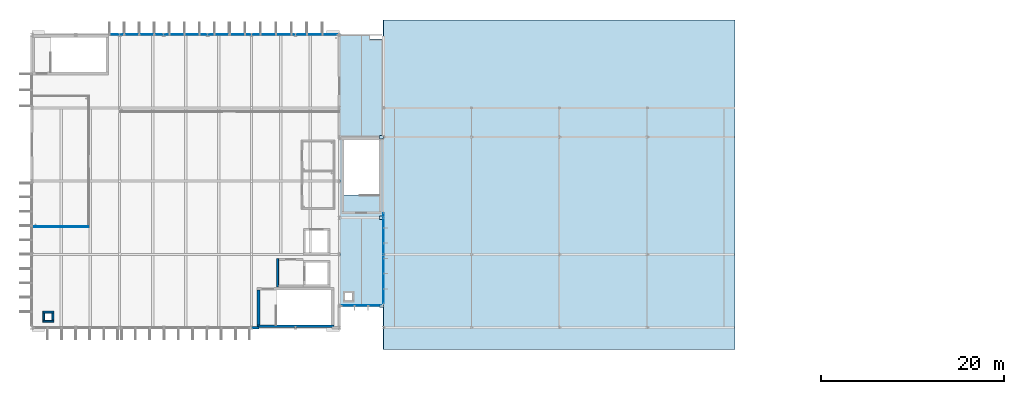
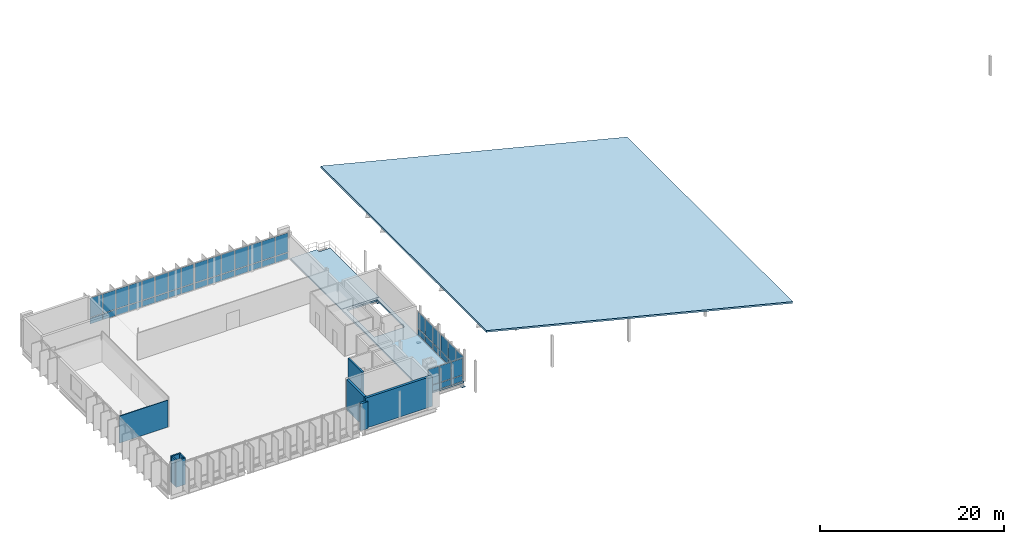
# One storey, part 13 of 22: 51 plates, 9 walls, 3 slabs, 4 elements without a shape of their own.
"""IFC4 building model written with IfcOpenShell, lengths in metres."""

import ifcopenshell
import ifcopenshell.guid

model = None  # the IFC model being written
_history = None  # IfcOwnerHistory: only IFC2X3 demands one
_inside = {}  # id of a spatial element -> (the spatial element, [elements in it])
_under = {}  # id of a project, library or spatial element -> (it, [spatial elements below it])
_declared = {}  # id of a project -> (the project, [libraries it declares])
_typed = {}  # id of a type object -> (the type object, [elements of that type])
_made_of = {}  # id of a material, layer set ... -> (it, [elements and type objects made of it])


def new_model(schema):
    """Start an empty IFC model of exactly this schema.

    Asked for "IFC4X3", IfcOpenShell would pick the latest addendum, in which some entities
    have other attributes; the version numbers below select the first issue.
    IFC2X3 requires an IfcOwnerHistory on every rooted entity: one is made here for all.
    """
    global model, _history
    if schema == "IFC4X3":
        model = ifcopenshell.file(schema_version=(4, 3, 0, 0))
    else:
        model = ifcopenshell.file(schema=schema)
    _inside.clear()
    _under.clear()
    _declared.clear()
    _typed.clear()
    _made_of.clear()
    _history = None
    if model.schema == "IFC2X3":
        org = make("IfcOrganization", Name="unknown")
        user = make(
            "IfcPersonAndOrganization",
            ThePerson=make("IfcPerson", FamilyName="unknown"),
            TheOrganization=org,
        )
        app = make(
            "IfcApplication",
            ApplicationDeveloper=org,
            Version="unknown",
            ApplicationFullName="unknown",
            ApplicationIdentifier="unknown",
        )
        _history = make(
            "IfcOwnerHistory",
            OwningUser=user,
            OwningApplication=app,
            ChangeAction="ADDED",
            CreationDate=0,
        )
    return model


def make(cls, **values):
    """One entity of the class cls with the attributes given. An attribute that is None is left unset."""
    return model.create_entity(
        cls, **{name: value for name, value in values.items() if value is not None}
    )


def rooted(cls, **values):
    """An entity with a GlobalId (a new one), such as an element, a storey or a relation."""
    return make(cls, GlobalId=ifcopenshell.guid.new(), OwnerHistory=_history, **values)


def si_unit(unit_type, name, prefix=None):
    """IfcSIUnit, for example si_unit("LENGTHUNIT", "METRE", prefix="MILLI")."""
    return make("IfcSIUnit", UnitType=unit_type, Prefix=prefix, Name=name)


def assignment(units):
    """IfcUnitAssignment: the units of a project."""
    return None if units is None else make("IfcUnitAssignment", Units=units)


def point(xyz):
    """IfcCartesianPoint."""
    return None if xyz is None else make("IfcCartesianPoint", Coordinates=xyz)


def direction(xyz):
    """IfcDirection."""
    return None if xyz is None else make("IfcDirection", DirectionRatios=xyz)


def frame(location, z_axis=None, x_axis=None):
    """IfcAxis2Placement3D, a coordinate frame: its origin and axes. An axis left out is left unset."""
    return make(
        "IfcAxis2Placement3D",
        Location=point(location),
        Axis=direction(z_axis),
        RefDirection=direction(x_axis),
    )


def frame_2d(location, x_axis=None):
    """IfcAxis2Placement2D, a coordinate frame in the plane: its origin and x axis."""
    return make(
        "IfcAxis2Placement2D", Location=point(location), RefDirection=direction(x_axis)
    )


def origin():
    """The frame at (0, 0, 0) with its axes left unset."""
    return frame((0.0, 0.0, 0.0))


def origin_2d():
    """The frame at (0, 0) in the plane with its x axis left unset."""
    return frame_2d((0.0, 0.0))


def place(relative_to, where):
    """IfcLocalPlacement: puts the frame where relative to a parent placement (None: the world)."""
    return make(
        "IfcLocalPlacement", PlacementRelTo=relative_to, RelativePlacement=where
    )


def context(
    kind, dimensions, precision=None, world=None, true_north=None, identifier=None
):
    """IfcGeometricRepresentationContext, for example the 3D "Model" context."""
    return make(
        "IfcGeometricRepresentationContext",
        ContextIdentifier=identifier,
        ContextType=kind,
        CoordinateSpaceDimension=dimensions,
        Precision=precision,
        WorldCoordinateSystem=world,
        TrueNorth=true_north,
    )


def subcontext(parent, identifier, kind, view, scale=None):
    """IfcGeometricRepresentationSubContext, for example "Body" below "Model"."""
    return make(
        "IfcGeometricRepresentationSubContext",
        ContextIdentifier=identifier,
        ContextType=kind,
        ParentContext=parent,
        TargetScale=scale,
        TargetView=view,
    )


def project(units=None, contexts=None):
    """IfcProject with its units and contexts."""
    return rooted(
        "IfcProject",
        Name="project",
        RepresentationContexts=contexts,
        UnitsInContext=assignment(units),
    )


def spatial(cls, under=None, at=None, **own):
    """A site, building, storey or space (cls), placed at a placement, below another one or the project."""
    s = rooted(cls, ObjectPlacement=at, **own)
    if under is not None:
        _under.setdefault(under.id(), (under, []))[1].append(s)
    return s


def polyline(points):
    """IfcPolyline through the points."""
    return make("IfcPolyline", Points=[point(p) for p in points])


def profile(cls, at=None, kind="AREA", **sizes):
    """A parametric profile (cls). Its sizes go by their IFC names, for example OverallWidth=200.0."""
    return make(cls, ProfileType=kind, Position=at, **sizes)


def rectangle(**sizes):
    """IfcRectangleProfileDef."""
    return profile("IfcRectangleProfileDef", **sizes)


def outline(outer, holes=None, kind="AREA"):
    """IfcArbitraryClosedProfileDef: a profile drawn as a closed curve; with holes, ...WithVoids."""
    if holes is None:
        return make("IfcArbitraryClosedProfileDef", ProfileType=kind, OuterCurve=outer)
    return make(
        "IfcArbitraryProfileDefWithVoids",
        ProfileType=kind,
        OuterCurve=outer,
        InnerCurves=holes,
    )


def extrude(swept, where, along, depth):
    """IfcExtrudedAreaSolid: the profile swept, set in the frame where, extruded along a direction by depth."""
    return make(
        "IfcExtrudedAreaSolid",
        SweptArea=swept,
        Position=where,
        ExtrudedDirection=direction(along),
        Depth=depth,
    )


def shape(context_of_items, identifier, shape_type, items):
    """IfcShapeRepresentation: the items that make up one representation, for example the "Body"."""
    return make(
        "IfcShapeRepresentation",
        ContextOfItems=context_of_items,
        RepresentationIdentifier=identifier,
        RepresentationType=shape_type,
        Items=items,
    )


def material(Name=None, Category=None):
    """IfcMaterial."""
    return make("IfcMaterial", Name=Name, Category=Category)


def layer(
    of_material, thickness, ventilated=None, Name=None, Category=None, Priority=None
):
    """IfcMaterialLayer: one layer of a wall or slab, of a material (None: an air gap)."""
    return make(
        "IfcMaterialLayer",
        Material=of_material,
        LayerThickness=thickness,
        IsVentilated=ventilated,
        Name=Name,
        Category=Category,
        Priority=Priority,
    )


def layer_set(layers, Name=None):
    """IfcMaterialLayerSet."""
    return make("IfcMaterialLayerSet", MaterialLayers=layers, LayerSetName=Name)


def made_of(thing, what):
    """Note that an element or type object is made of a material, layer set ...; save() writes the relation."""
    if what is not None:
        _made_of.setdefault(what.id(), (what, []))[1].append(thing)
    return thing


def type_object(cls, material=None, **own):
    """A type object (cls), such as IfcWallType, which elements share."""
    return made_of(rooted(cls, **own), material)


def element(
    cls,
    number,
    at=None,
    inside=None,
    cuts=None,
    type_object=None,
    material=None,
    context=None,
    identifier="Body",
    shape_type=None,
    held_by="IfcProductDefinitionShape",
    body=None,
    shapes=None,
    **own,
):
    """One element of the class cls, such as IfcWall. Its Tag is "e" and its number.

    at: its placement. inside: the storey or other place that contains it. cuts: it is an
    opening in that element (IfcRelVoidsElement). A single representation is given by context,
    identifier, shape_type and body (its items); several are given by shapes. held_by: the class
    of the entity that holds the representations. save() writes the other relations.
    """
    e = rooted(cls, Tag="e%d" % number, ObjectPlacement=at, **own)
    if body is not None:
        shapes = [shape(context, identifier, shape_type, body)]
    if shapes is not None:
        e.Representation = make(held_by, Representations=shapes)
    if inside is not None:
        _inside.setdefault(inside.id(), (inside, []))[1].append(e)
    if cuts is not None:
        rooted(
            "IfcRelVoidsElement", RelatingBuildingElement=cuts, RelatedOpeningElement=e
        )
    if type_object is not None:
        _typed.setdefault(type_object.id(), (type_object, []))[1].append(e)
    return made_of(e, material)


def aggregate(whole, parts):
    """IfcRelAggregates: a whole, such as a stair, and the parts it consists of."""
    return rooted("IfcRelAggregates", RelatingObject=whole, RelatedObjects=parts)


def save(model, path):
    """Write the relations noted so far, then the file.

    IfcRelAggregates (storeys below a building ...), IfcRelContainedInSpatialStructure (elements
    in a storey), IfcRelDefinesByType, IfcRelAssociatesMaterial and IfcRelDeclares: one each for
    every whole, place, type object, material and project.
    """
    for whole, parts in _under.values():
        aggregate(whole, parts)
    for where, things in _inside.values():
        rooted(
            "IfcRelContainedInSpatialStructure",
            RelatedElements=things,
            RelatingStructure=where,
        )
    for kind, things in _typed.values():
        rooted("IfcRelDefinesByType", RelatedObjects=things, RelatingType=kind)
    for what, things in _made_of.values():
        rooted("IfcRelAssociatesMaterial", RelatedObjects=things, RelatingMaterial=what)
    for by, libraries in _declared.values():
        rooted("IfcRelDeclares", RelatingContext=by, RelatedDefinitions=libraries)
    model.write(path)


model = new_model("IFC4")

# Units and contexts
model_context = context("Model", 3, precision=1e-05, world=origin(), true_north=direction((0.0, 1.0)))
body_context = subcontext(model_context, "Body", "Model", "MODEL_VIEW")
ifc_project = project(units=[si_unit("LENGTHUNIT", "METRE"), si_unit("AREAUNIT", "SQUARE_METRE"), si_unit("VOLUMEUNIT", "CUBIC_METRE"), si_unit("PLANEANGLEUNIT", "RADIAN"), si_unit("MASSUNIT", "GRAM", prefix="KILO")], contexts=[model_context])

# Site, building, storey
site_placement = place(None, origin())
site = spatial("IfcSite", under=ifc_project, at=site_placement, CompositionType="ELEMENT")
building_placement = place(site_placement, origin())
building = spatial("IfcBuilding", under=site, at=building_placement, Name="Dunescarp Central Library", CompositionType="ELEMENT")
storey_placement = place(building_placement, frame((0.0, 0.0, 27.60009765625)))
storey = spatial("IfcBuildingStorey", under=building, at=storey_placement, Name="L06", CompositionType="ELEMENT", Elevation=27.60009765625)

# Curtain wall, plates
ifc_material_1 = material(Name="Marine-grade anodised aluminium 6063-T6", Category="aluminium")
curtain_wall_type_1 = type_object("IfcCurtainWallType", Name="ARC-CW-STICK", PredefinedType="NOTDEFINED", material=ifc_material_1)
curtain_wall_1_placement = place(storey_placement, origin())
curtain_wall_1 = element("IfcCurtainWall", 1, at=curtain_wall_1_placement, inside=storey, type_object=curtain_wall_type_1, Name="L06 curtain wall CW-V1-040", PredefinedType="NOTDEFINED")
ifc_material_2 = material(Name="Solar-control laminated double glazing", Category="glass")
ifc_layer_1 = layer(ifc_material_2, 0.028076171875)
ifc_layer_set_1 = layer_set([ifc_layer_1], Name="Solar-control laminated double glazing")
plate_type_1 = type_object("IfcPlateType", Name="ARC-PLT-GLZ28", PredefinedType="CURTAIN_PANEL", material=ifc_layer_set_1)
plate_1_placement = place(storey_placement, frame((22.464599609375, 36.800048828125, 0.93994140625), z_axis=(0.0, 0.0, 1.0), x_axis=(1.0, 0.0, 0.0)))
plate_1 = element("IfcPlate", 2, at=plate_1_placement, type_object=plate_type_1, Name="CW-V1-040 panel 1.2", PredefinedType="CURTAIN_PANEL", context=body_context, shape_type="SweptSolid", body=[
    extrude(rectangle(XDim=1.5693359375, YDim=0.028076171875, at=origin_2d()), origin(), (0.0, 0.0, 1.0), 2.554931640625),
])
plate_2_placement = place(storey_placement, frame((24.134033203125, 36.800048828125, 0.93994140625), z_axis=(0.0, 0.0, 1.0), x_axis=(1.0, 0.0, 0.0)))
plate_2 = element("IfcPlate", 3, at=plate_2_placement, type_object=plate_type_1, Name="CW-V1-040 panel 2.2", PredefinedType="CURTAIN_PANEL", context=body_context, shape_type="SweptSolid", body=[
    extrude(rectangle(XDim=1.609375, YDim=0.028076171875, at=origin_2d()), origin(), (0.0, 0.0, 1.0), 2.554931640625),
])
plate_3_placement = place(storey_placement, frame((25.8232421875, 36.800048828125, 0.93994140625), z_axis=(0.0, 0.0, 1.0), x_axis=(1.0, 0.0, 0.0)))
plate_3 = element("IfcPlate", 4, at=plate_3_placement, type_object=plate_type_1, Name="CW-V1-040 panel 3.2", PredefinedType="CURTAIN_PANEL", context=body_context, shape_type="SweptSolid", body=[
    extrude(rectangle(XDim=1.609375, YDim=0.028076171875, at=origin_2d()), origin(), (0.0, 0.0, 1.0), 2.554931640625),
])
plate_4_placement = place(storey_placement, frame((27.512451171875, 36.800048828125, 0.93994140625), z_axis=(0.0, 0.0, 1.0), x_axis=(1.0, 0.0, 0.0)))
plate_4 = element("IfcPlate", 5, at=plate_4_placement, type_object=plate_type_1, Name="CW-V1-040 panel 4.2", PredefinedType="CURTAIN_PANEL", context=body_context, shape_type="SweptSolid", body=[
    extrude(rectangle(XDim=1.609375, YDim=0.028076171875, at=origin_2d()), origin(), (0.0, 0.0, 1.0), 2.554931640625),
])
plate_5_placement = place(storey_placement, frame((29.201904296875, 36.800048828125, 0.93994140625), z_axis=(0.0, 0.0, 1.0), x_axis=(1.0, 0.0, 0.0)))
plate_5 = element("IfcPlate", 6, at=plate_5_placement, type_object=plate_type_1, Name="CW-V1-040 panel 5.2", PredefinedType="CURTAIN_PANEL", context=body_context, shape_type="SweptSolid", body=[
    extrude(rectangle(XDim=1.609375, YDim=0.028076171875, at=origin_2d()), origin(), (0.0, 0.0, 1.0), 2.554931640625),
])
plate_6_placement = place(storey_placement, frame((30.89111328125, 36.800048828125, 0.93994140625), z_axis=(0.0, 0.0, 1.0), x_axis=(1.0, 0.0, 0.0)))
plate_6 = element("IfcPlate", 7, at=plate_6_placement, type_object=plate_type_1, Name="CW-V1-040 panel 6.2", PredefinedType="CURTAIN_PANEL", context=body_context, shape_type="SweptSolid", body=[
    extrude(rectangle(XDim=1.609375, YDim=0.028076171875, at=origin_2d()), origin(), (0.0, 0.0, 1.0), 2.554931640625),
])
plate_7_placement = place(storey_placement, frame((32.560302734375, 36.800048828125, 0.93994140625), z_axis=(0.0, 0.0, 1.0), x_axis=(1.0, 0.0, 0.0)))
plate_7 = element("IfcPlate", 8, at=plate_7_placement, type_object=plate_type_1, Name="CW-V1-040 panel 7.2", PredefinedType="CURTAIN_PANEL", context=body_context, shape_type="SweptSolid", body=[
    extrude(rectangle(XDim=1.5693359375, YDim=0.028076171875, at=origin_2d()), origin(), (0.0, 0.0, 1.0), 2.554931640625),
])

curtain_wall_2_placement = place(storey_placement, origin())
curtain_wall_2 = element("IfcCurtainWall", 9, at=curtain_wall_2_placement, inside=storey, type_object=curtain_wall_type_1, Name="L06 curtain wall CW-V1-041", PredefinedType="NOTDEFINED")
plate_8_placement = place(storey_placement, frame((9.2919921875, 36.800048828125, 0.93994140625), z_axis=(0.0, 0.0, 1.0), x_axis=(1.0, 0.0, 0.0)))
plate_8 = element("IfcPlate", 10, at=plate_8_placement, type_object=plate_type_1, Name="CW-V1-041 panel 1.2", PredefinedType="CURTAIN_PANEL", context=body_context, shape_type="SweptSolid", body=[
    extrude(rectangle(XDim=1.523681640625, YDim=0.028076171875, at=origin_2d()), origin(), (0.0, 0.0, 1.0), 2.554931640625),
])
plate_9_placement = place(storey_placement, frame((10.91552734375, 36.800048828125, 0.93994140625), z_axis=(0.0, 0.0, 1.0), x_axis=(1.0, 0.0, 0.0)))
plate_9 = element("IfcPlate", 11, at=plate_9_placement, type_object=plate_type_1, Name="CW-V1-041 panel 2.2", PredefinedType="CURTAIN_PANEL", context=body_context, shape_type="SweptSolid", body=[
    extrude(rectangle(XDim=1.563720703125, YDim=0.028076171875, at=origin_2d()), origin(), (0.0, 0.0, 1.0), 2.554931640625),
])
plate_10_placement = place(storey_placement, frame((12.559326171875, 36.800048828125, 0.93994140625), z_axis=(0.0, 0.0, 1.0), x_axis=(1.0, 0.0, 0.0)))
plate_10 = element("IfcPlate", 12, at=plate_10_placement, type_object=plate_type_1, Name="CW-V1-041 panel 3.2", PredefinedType="CURTAIN_PANEL", context=body_context, shape_type="SweptSolid", body=[
    extrude(rectangle(XDim=1.563720703125, YDim=0.028076171875, at=origin_2d()), origin(), (0.0, 0.0, 1.0), 2.554931640625),
])
plate_11_placement = place(storey_placement, frame((14.203125, 36.800048828125, 0.93994140625), z_axis=(0.0, 0.0, 1.0), x_axis=(1.0, 0.0, 0.0)))
plate_11 = element("IfcPlate", 13, at=plate_11_placement, type_object=plate_type_1, Name="CW-V1-041 panel 4.2", PredefinedType="CURTAIN_PANEL", context=body_context, shape_type="SweptSolid", body=[
    extrude(rectangle(XDim=1.563720703125, YDim=0.028076171875, at=origin_2d()), origin(), (0.0, 0.0, 1.0), 2.554931640625),
])
plate_12_placement = place(storey_placement, frame((15.846923828125, 36.800048828125, 0.93994140625), z_axis=(0.0, 0.0, 1.0), x_axis=(1.0, 0.0, 0.0)))
plate_12 = element("IfcPlate", 14, at=plate_12_placement, type_object=plate_type_1, Name="CW-V1-041 panel 5.2", PredefinedType="CURTAIN_PANEL", context=body_context, shape_type="SweptSolid", body=[
    extrude(rectangle(XDim=1.563720703125, YDim=0.028076171875, at=origin_2d()), origin(), (0.0, 0.0, 1.0), 2.554931640625),
])
plate_13_placement = place(storey_placement, frame((17.49072265625, 36.800048828125, 0.93994140625), z_axis=(0.0, 0.0, 1.0), x_axis=(1.0, 0.0, 0.0)))
plate_13 = element("IfcPlate", 15, at=plate_13_placement, type_object=plate_type_1, Name="CW-V1-041 panel 6.2", PredefinedType="CURTAIN_PANEL", context=body_context, shape_type="SweptSolid", body=[
    extrude(rectangle(XDim=1.563720703125, YDim=0.028076171875, at=origin_2d()), origin(), (0.0, 0.0, 1.0), 2.554931640625),
])
plate_14_placement = place(storey_placement, frame((19.13427734375, 36.800048828125, 0.93994140625), z_axis=(0.0, 0.0, 1.0), x_axis=(1.0, 0.0, 0.0)))
plate_14 = element("IfcPlate", 16, at=plate_14_placement, type_object=plate_type_1, Name="CW-V1-041 panel 7.2", PredefinedType="CURTAIN_PANEL", context=body_context, shape_type="SweptSolid", body=[
    extrude(rectangle(XDim=1.563720703125, YDim=0.028076171875, at=origin_2d()), origin(), (0.0, 0.0, 1.0), 2.554931640625),
])
plate_15_placement = place(storey_placement, frame((20.758056640625, 36.800048828125, 0.93994140625), z_axis=(0.0, 0.0, 1.0), x_axis=(1.0, 0.0, 0.0)))
plate_15 = element("IfcPlate", 17, at=plate_15_placement, type_object=plate_type_1, Name="CW-V1-041 panel 8.2", PredefinedType="CURTAIN_PANEL", context=body_context, shape_type="SweptSolid", body=[
    extrude(rectangle(XDim=1.523681640625, YDim=0.028076171875, at=origin_2d()), origin(), (0.0, 0.0, 1.0), 2.554931640625),
])

curtain_wall_type_2 = type_object("IfcCurtainWallType", Name="ARC-CW-LINK", PredefinedType="USERDEFINED", material=ifc_material_1)
curtain_wall_3_placement = place(storey_placement, origin())
curtain_wall_3 = element("IfcCurtainWall", 18, at=curtain_wall_3_placement, inside=storey, type_object=curtain_wall_type_2, Name="L06 curtain wall CW-GL1-S-L06", ObjectType="GLAZED_LINK_WALL", PredefinedType="USERDEFINED")
plate_16_placement = place(storey_placement, frame((37.46337890625, 7.199951171875, 0.93994140625), z_axis=(0.0, 0.0, 1.0), x_axis=(-1.0, 0.0, 0.0)))
plate_16 = element("IfcPlate", 19, at=plate_16_placement, type_object=plate_type_1, Name="CW-GL1-S-L06 panel 1.2", PredefinedType="CURTAIN_PANEL", context=body_context, shape_type="SweptSolid", body=[
    extrude(rectangle(XDim=1.36328125, YDim=0.028076171875, at=origin_2d()), origin(), (0.0, 0.0, 1.0), 2.1650390625),
])
plate_17_placement = place(storey_placement, frame((36.0, 7.199951171875, 0.93994140625), z_axis=(0.0, 0.0, 1.0), x_axis=(-1.0, 0.0, 0.0)))
plate_17 = element("IfcPlate", 20, at=plate_17_placement, type_object=plate_type_1, Name="CW-GL1-S-L06 panel 2.2", PredefinedType="CURTAIN_PANEL", context=body_context, shape_type="SweptSolid", body=[
    extrude(rectangle(XDim=1.4033203125, YDim=0.028076171875, at=origin_2d()), origin(), (0.0, 0.0, 1.0), 2.1650390625),
])
plate_18_placement = place(storey_placement, frame((34.53662109375, 7.199951171875, 0.93994140625), z_axis=(0.0, 0.0, 1.0), x_axis=(-1.0, 0.0, 0.0)))
plate_18 = element("IfcPlate", 21, at=plate_18_placement, type_object=plate_type_1, Name="CW-GL1-S-L06 panel 3.2", PredefinedType="CURTAIN_PANEL", context=body_context, shape_type="SweptSolid", body=[
    extrude(rectangle(XDim=1.36328125, YDim=0.028076171875, at=origin_2d()), origin(), (0.0, 0.0, 1.0), 2.1650390625),
])

curtain_wall_4_placement = place(storey_placement, origin())
curtain_wall_4 = element("IfcCurtainWall", 22, at=curtain_wall_4_placement, inside=storey, type_object=curtain_wall_type_2, Name="L06 curtain wall CW-GL1-E-L06", ObjectType="GLAZED_LINK_WALL", PredefinedType="USERDEFINED")
plate_19_placement = place(storey_placement, frame((38.39990234375, 16.498779296875, 0.93994140625), z_axis=(0.0, 0.0, 1.0), x_axis=(0.0, -1.0, 0.0)))
plate_19 = element("IfcPlate", 23, at=plate_19_placement, type_object=plate_type_1, Name="CW-GL1-E-L06 panel 1.2", PredefinedType="CURTAIN_PANEL", context=body_context, shape_type="SweptSolid", body=[
    extrude(rectangle(XDim=1.54248046875, YDim=0.028076171875, at=origin_2d()), origin(), (0.0, 0.0, 1.0), 2.1650390625),
])
plate_20_placement = place(storey_placement, frame((38.39990234375, 14.856201171875, 0.93994140625), z_axis=(0.0, 0.0, 1.0), x_axis=(0.0, -1.0, 0.0)))
plate_20 = element("IfcPlate", 24, at=plate_20_placement, type_object=plate_type_1, Name="CW-GL1-E-L06 panel 2.2", PredefinedType="CURTAIN_PANEL", context=body_context, shape_type="SweptSolid", body=[
    extrude(rectangle(XDim=1.58251953125, YDim=0.028076171875, at=origin_2d()), origin(), (0.0, 0.0, 1.0), 2.1650390625),
])
plate_21_placement = place(storey_placement, frame((38.39990234375, 13.19384765625, 0.93994140625), z_axis=(0.0, 0.0, 1.0), x_axis=(0.0, -1.0, 0.0)))
plate_21 = element("IfcPlate", 25, at=plate_21_placement, type_object=plate_type_1, Name="CW-GL1-E-L06 panel 3.2", PredefinedType="CURTAIN_PANEL", context=body_context, shape_type="SweptSolid", body=[
    extrude(rectangle(XDim=1.58251953125, YDim=0.028076171875, at=origin_2d()), origin(), (0.0, 0.0, 1.0), 2.1650390625),
])
plate_22_placement = place(storey_placement, frame((38.39990234375, 11.53125, 0.93994140625), z_axis=(0.0, 0.0, 1.0), x_axis=(0.0, -1.0, 0.0)))
plate_22 = element("IfcPlate", 26, at=plate_22_placement, type_object=plate_type_1, Name="CW-GL1-E-L06 panel 4.2", PredefinedType="CURTAIN_PANEL", context=body_context, shape_type="SweptSolid", body=[
    extrude(rectangle(XDim=1.58251953125, YDim=0.028076171875, at=origin_2d()), origin(), (0.0, 0.0, 1.0), 2.1650390625),
])
plate_23_placement = place(storey_placement, frame((38.39990234375, 9.86865234375, 0.93994140625), z_axis=(0.0, 0.0, 1.0), x_axis=(0.0, -1.0, 0.0)))
plate_23 = element("IfcPlate", 27, at=plate_23_placement, type_object=plate_type_1, Name="CW-GL1-E-L06 panel 5.2", PredefinedType="CURTAIN_PANEL", context=body_context, shape_type="SweptSolid", body=[
    extrude(rectangle(XDim=1.58251953125, YDim=0.028076171875, at=origin_2d()), origin(), (0.0, 0.0, 1.0), 2.1650390625),
])
plate_24_placement = place(storey_placement, frame((38.39990234375, 8.226318359375, 0.93994140625), z_axis=(0.0, 0.0, 1.0), x_axis=(0.0, -1.0, 0.0)))
plate_24 = element("IfcPlate", 28, at=plate_24_placement, type_object=plate_type_1, Name="CW-GL1-E-L06 panel 6.2", PredefinedType="CURTAIN_PANEL", context=body_context, shape_type="SweptSolid", body=[
    extrude(rectangle(XDim=1.54248046875, YDim=0.028076171875, at=origin_2d()), origin(), (0.0, 0.0, 1.0), 2.1650390625),
])

# Plate
ifc_layer_2 = layer(ifc_material_1, 0.050048828125)
ifc_layer_set_2 = layer_set([ifc_layer_2], Name="Marine-grade anodised aluminium 6063-T6")
plate_type_2 = type_object("IfcPlateType", Name="ARC-PLT-SPN50", PredefinedType="SHEET", material=ifc_layer_set_2)
plate_25_placement = place(storey_placement, frame((22.464599609375, 36.800048828125, 0.080078125), z_axis=(0.0, 0.0, 1.0), x_axis=(1.0, 0.0, 0.0)))
plate_25 = element("IfcPlate", 29, at=plate_25_placement, type_object=plate_type_2, Name="CW-V1-040 panel 1.1", PredefinedType="SHEET", context=body_context, shape_type="SweptSolid", body=[
    extrude(rectangle(XDim=1.5693359375, YDim=0.050048828125, at=origin_2d()), origin(), (0.0, 0.0, 1.0), 0.780029296875),
])

plate_26_placement = place(storey_placement, frame((24.134033203125, 36.800048828125, 0.080078125), z_axis=(0.0, 0.0, 1.0), x_axis=(1.0, 0.0, 0.0)))
plate_26 = element("IfcPlate", 30, at=plate_26_placement, type_object=plate_type_2, Name="CW-V1-040 panel 2.1", PredefinedType="SHEET", context=body_context, shape_type="SweptSolid", body=[
    extrude(rectangle(XDim=1.609375, YDim=0.050048828125, at=origin_2d()), origin(), (0.0, 0.0, 1.0), 0.780029296875),
])

plate_27_placement = place(storey_placement, frame((25.8232421875, 36.800048828125, 0.080078125), z_axis=(0.0, 0.0, 1.0), x_axis=(1.0, 0.0, 0.0)))
plate_27 = element("IfcPlate", 31, at=plate_27_placement, type_object=plate_type_2, Name="CW-V1-040 panel 3.1", PredefinedType="SHEET", context=body_context, shape_type="SweptSolid", body=[
    extrude(rectangle(XDim=1.609375, YDim=0.050048828125, at=origin_2d()), origin(), (0.0, 0.0, 1.0), 0.780029296875),
])

plate_28_placement = place(storey_placement, frame((27.512451171875, 36.800048828125, 0.080078125), z_axis=(0.0, 0.0, 1.0), x_axis=(1.0, 0.0, 0.0)))
plate_28 = element("IfcPlate", 32, at=plate_28_placement, type_object=plate_type_2, Name="CW-V1-040 panel 4.1", PredefinedType="SHEET", context=body_context, shape_type="SweptSolid", body=[
    extrude(rectangle(XDim=1.609375, YDim=0.050048828125, at=origin_2d()), origin(), (0.0, 0.0, 1.0), 0.780029296875),
])

plate_29_placement = place(storey_placement, frame((29.201904296875, 36.800048828125, 0.080078125), z_axis=(0.0, 0.0, 1.0), x_axis=(1.0, 0.0, 0.0)))
plate_29 = element("IfcPlate", 33, at=plate_29_placement, type_object=plate_type_2, Name="CW-V1-040 panel 5.1", PredefinedType="SHEET", context=body_context, shape_type="SweptSolid", body=[
    extrude(rectangle(XDim=1.609375, YDim=0.050048828125, at=origin_2d()), origin(), (0.0, 0.0, 1.0), 0.780029296875),
])

plate_30_placement = place(storey_placement, frame((30.89111328125, 36.800048828125, 0.080078125), z_axis=(0.0, 0.0, 1.0), x_axis=(1.0, 0.0, 0.0)))
plate_30 = element("IfcPlate", 34, at=plate_30_placement, type_object=plate_type_2, Name="CW-V1-040 panel 6.1", PredefinedType="SHEET", context=body_context, shape_type="SweptSolid", body=[
    extrude(rectangle(XDim=1.609375, YDim=0.050048828125, at=origin_2d()), origin(), (0.0, 0.0, 1.0), 0.780029296875),
])

plate_31_placement = place(storey_placement, frame((32.560302734375, 36.800048828125, 0.080078125), z_axis=(0.0, 0.0, 1.0), x_axis=(1.0, 0.0, 0.0)))
plate_31 = element("IfcPlate", 35, at=plate_31_placement, type_object=plate_type_2, Name="CW-V1-040 panel 7.1", PredefinedType="SHEET", context=body_context, shape_type="SweptSolid", body=[
    extrude(rectangle(XDim=1.5693359375, YDim=0.050048828125, at=origin_2d()), origin(), (0.0, 0.0, 1.0), 0.780029296875),
])

aggregate(curtain_wall_1, [plate_25, plate_1, plate_26, plate_2, plate_27, plate_3, plate_28, plate_4, plate_29, plate_5, plate_30, plate_6, plate_31, plate_7])

plate_32_placement = place(storey_placement, frame((9.2919921875, 36.800048828125, 0.080078125), z_axis=(0.0, 0.0, 1.0), x_axis=(1.0, 0.0, 0.0)))
plate_32 = element("IfcPlate", 36, at=plate_32_placement, type_object=plate_type_2, Name="CW-V1-041 panel 1.1", PredefinedType="SHEET", context=body_context, shape_type="SweptSolid", body=[
    extrude(rectangle(XDim=1.523681640625, YDim=0.050048828125, at=origin_2d()), origin(), (0.0, 0.0, 1.0), 0.780029296875),
])

plate_33_placement = place(storey_placement, frame((10.91552734375, 36.800048828125, 0.080078125), z_axis=(0.0, 0.0, 1.0), x_axis=(1.0, 0.0, 0.0)))
plate_33 = element("IfcPlate", 37, at=plate_33_placement, type_object=plate_type_2, Name="CW-V1-041 panel 2.1", PredefinedType="SHEET", context=body_context, shape_type="SweptSolid", body=[
    extrude(rectangle(XDim=1.563720703125, YDim=0.050048828125, at=origin_2d()), origin(), (0.0, 0.0, 1.0), 0.780029296875),
])

plate_34_placement = place(storey_placement, frame((12.559326171875, 36.800048828125, 0.080078125), z_axis=(0.0, 0.0, 1.0), x_axis=(1.0, 0.0, 0.0)))
plate_34 = element("IfcPlate", 38, at=plate_34_placement, type_object=plate_type_2, Name="CW-V1-041 panel 3.1", PredefinedType="SHEET", context=body_context, shape_type="SweptSolid", body=[
    extrude(rectangle(XDim=1.563720703125, YDim=0.050048828125, at=origin_2d()), origin(), (0.0, 0.0, 1.0), 0.780029296875),
])

plate_35_placement = place(storey_placement, frame((14.203125, 36.800048828125, 0.080078125), z_axis=(0.0, 0.0, 1.0), x_axis=(1.0, 0.0, 0.0)))
plate_35 = element("IfcPlate", 39, at=plate_35_placement, type_object=plate_type_2, Name="CW-V1-041 panel 4.1", PredefinedType="SHEET", context=body_context, shape_type="SweptSolid", body=[
    extrude(rectangle(XDim=1.563720703125, YDim=0.050048828125, at=origin_2d()), origin(), (0.0, 0.0, 1.0), 0.780029296875),
])

plate_36_placement = place(storey_placement, frame((15.846923828125, 36.800048828125, 0.080078125), z_axis=(0.0, 0.0, 1.0), x_axis=(1.0, 0.0, 0.0)))
plate_36 = element("IfcPlate", 40, at=plate_36_placement, type_object=plate_type_2, Name="CW-V1-041 panel 5.1", PredefinedType="SHEET", context=body_context, shape_type="SweptSolid", body=[
    extrude(rectangle(XDim=1.563720703125, YDim=0.050048828125, at=origin_2d()), origin(), (0.0, 0.0, 1.0), 0.780029296875),
])

plate_37_placement = place(storey_placement, frame((17.49072265625, 36.800048828125, 0.080078125), z_axis=(0.0, 0.0, 1.0), x_axis=(1.0, 0.0, 0.0)))
plate_37 = element("IfcPlate", 41, at=plate_37_placement, type_object=plate_type_2, Name="CW-V1-041 panel 6.1", PredefinedType="SHEET", context=body_context, shape_type="SweptSolid", body=[
    extrude(rectangle(XDim=1.563720703125, YDim=0.050048828125, at=origin_2d()), origin(), (0.0, 0.0, 1.0), 0.780029296875),
])

plate_38_placement = place(storey_placement, frame((19.13427734375, 36.800048828125, 0.080078125), z_axis=(0.0, 0.0, 1.0), x_axis=(1.0, 0.0, 0.0)))
plate_38 = element("IfcPlate", 42, at=plate_38_placement, type_object=plate_type_2, Name="CW-V1-041 panel 7.1", PredefinedType="SHEET", context=body_context, shape_type="SweptSolid", body=[
    extrude(rectangle(XDim=1.563720703125, YDim=0.050048828125, at=origin_2d()), origin(), (0.0, 0.0, 1.0), 0.780029296875),
])

plate_39_placement = place(storey_placement, frame((20.758056640625, 36.800048828125, 0.080078125), z_axis=(0.0, 0.0, 1.0), x_axis=(1.0, 0.0, 0.0)))
plate_39 = element("IfcPlate", 43, at=plate_39_placement, type_object=plate_type_2, Name="CW-V1-041 panel 8.1", PredefinedType="SHEET", context=body_context, shape_type="SweptSolid", body=[
    extrude(rectangle(XDim=1.523681640625, YDim=0.050048828125, at=origin_2d()), origin(), (0.0, 0.0, 1.0), 0.780029296875),
])

aggregate(curtain_wall_2, [plate_32, plate_8, plate_33, plate_9, plate_34, plate_10, plate_35, plate_11, plate_36, plate_12, plate_37, plate_13, plate_38, plate_14, plate_39, plate_15])

plate_40_placement = place(storey_placement, frame((37.46337890625, 7.199951171875, 0.080078125), z_axis=(0.0, 0.0, 1.0), x_axis=(-1.0, 0.0, 0.0)))
plate_40 = element("IfcPlate", 44, at=plate_40_placement, type_object=plate_type_2, Name="CW-GL1-S-L06 panel 1.1", PredefinedType="SHEET", context=body_context, shape_type="SweptSolid", body=[
    extrude(rectangle(XDim=1.36328125, YDim=0.050048828125, at=origin_2d()), origin(), (0.0, 0.0, 1.0), 0.780029296875),
])

plate_41_placement = place(storey_placement, frame((36.0, 7.199951171875, 0.080078125), z_axis=(0.0, 0.0, 1.0), x_axis=(-1.0, 0.0, 0.0)))
plate_41 = element("IfcPlate", 45, at=plate_41_placement, type_object=plate_type_2, Name="CW-GL1-S-L06 panel 2.1", PredefinedType="SHEET", context=body_context, shape_type="SweptSolid", body=[
    extrude(rectangle(XDim=1.4033203125, YDim=0.050048828125, at=origin_2d()), origin(), (0.0, 0.0, 1.0), 0.780029296875),
])

plate_42_placement = place(storey_placement, frame((34.53662109375, 7.199951171875, 0.080078125), z_axis=(0.0, 0.0, 1.0), x_axis=(-1.0, 0.0, 0.0)))
plate_42 = element("IfcPlate", 46, at=plate_42_placement, type_object=plate_type_2, Name="CW-GL1-S-L06 panel 3.1", PredefinedType="SHEET", context=body_context, shape_type="SweptSolid", body=[
    extrude(rectangle(XDim=1.36328125, YDim=0.050048828125, at=origin_2d()), origin(), (0.0, 0.0, 1.0), 0.780029296875),
])

aggregate(curtain_wall_3, [plate_40, plate_16, plate_41, plate_17, plate_42, plate_18])

plate_43_placement = place(storey_placement, frame((38.39990234375, 16.498779296875, 0.080078125), z_axis=(0.0, 0.0, 1.0), x_axis=(0.0, -1.0, 0.0)))
plate_43 = element("IfcPlate", 47, at=plate_43_placement, type_object=plate_type_2, Name="CW-GL1-E-L06 panel 1.1", PredefinedType="SHEET", context=body_context, shape_type="SweptSolid", body=[
    extrude(rectangle(XDim=1.54248046875, YDim=0.050048828125, at=origin_2d()), origin(), (0.0, 0.0, 1.0), 0.780029296875),
])

plate_44_placement = place(storey_placement, frame((38.39990234375, 14.856201171875, 0.080078125), z_axis=(0.0, 0.0, 1.0), x_axis=(0.0, -1.0, 0.0)))
plate_44 = element("IfcPlate", 48, at=plate_44_placement, type_object=plate_type_2, Name="CW-GL1-E-L06 panel 2.1", PredefinedType="SHEET", context=body_context, shape_type="SweptSolid", body=[
    extrude(rectangle(XDim=1.58251953125, YDim=0.050048828125, at=origin_2d()), origin(), (0.0, 0.0, 1.0), 0.780029296875),
])

plate_45_placement = place(storey_placement, frame((38.39990234375, 13.19384765625, 0.080078125), z_axis=(0.0, 0.0, 1.0), x_axis=(0.0, -1.0, 0.0)))
plate_45 = element("IfcPlate", 49, at=plate_45_placement, type_object=plate_type_2, Name="CW-GL1-E-L06 panel 3.1", PredefinedType="SHEET", context=body_context, shape_type="SweptSolid", body=[
    extrude(rectangle(XDim=1.58251953125, YDim=0.050048828125, at=origin_2d()), origin(), (0.0, 0.0, 1.0), 0.780029296875),
])

plate_46_placement = place(storey_placement, frame((38.39990234375, 11.53125, 0.080078125), z_axis=(0.0, 0.0, 1.0), x_axis=(0.0, -1.0, 0.0)))
plate_46 = element("IfcPlate", 50, at=plate_46_placement, type_object=plate_type_2, Name="CW-GL1-E-L06 panel 4.1", PredefinedType="SHEET", context=body_context, shape_type="SweptSolid", body=[
    extrude(rectangle(XDim=1.58251953125, YDim=0.050048828125, at=origin_2d()), origin(), (0.0, 0.0, 1.0), 0.780029296875),
])

plate_47_placement = place(storey_placement, frame((38.39990234375, 9.86865234375, 0.080078125), z_axis=(0.0, 0.0, 1.0), x_axis=(0.0, -1.0, 0.0)))
plate_47 = element("IfcPlate", 51, at=plate_47_placement, type_object=plate_type_2, Name="CW-GL1-E-L06 panel 5.1", PredefinedType="SHEET", context=body_context, shape_type="SweptSolid", body=[
    extrude(rectangle(XDim=1.58251953125, YDim=0.050048828125, at=origin_2d()), origin(), (0.0, 0.0, 1.0), 0.780029296875),
])

plate_48_placement = place(storey_placement, frame((38.39990234375, 8.226318359375, 0.080078125), z_axis=(0.0, 0.0, 1.0), x_axis=(0.0, -1.0, 0.0)))
plate_48 = element("IfcPlate", 52, at=plate_48_placement, type_object=plate_type_2, Name="CW-GL1-E-L06 panel 6.1", PredefinedType="SHEET", context=body_context, shape_type="SweptSolid", body=[
    extrude(rectangle(XDim=1.54248046875, YDim=0.050048828125, at=origin_2d()), origin(), (0.0, 0.0, 1.0), 0.780029296875),
])

aggregate(curtain_wall_4, [plate_43, plate_19, plate_44, plate_20, plate_45, plate_21, plate_46, plate_22, plate_47, plate_23, plate_48, plate_24])

# Plates
ifc_material_3 = material(Name="Steel S355J0", Category="steel")
ifc_layer_3 = layer(ifc_material_3, 0.0400390625)
ifc_layer_set_3 = layer_set([ifc_layer_3], Name="Steel S355J0")
plate_type_3 = type_object("IfcPlateType", Name="STR-PLT-SEAT420", PredefinedType="USERDEFINED", material=ifc_layer_set_3)
for number, where, z_axis, x_axis, name in (
    (53, (38.18994140625, 7.199951171875, -0.64013671875), (0.0, 0.0, 1.0), (1.0, 0.0, 0.0), "L06 GL1 420 mm sliding link bearing seat BRG-01"),
    (54, (38.18994140625, 16.800048828125, -0.64013671875), (0.0, 0.0, 1.0), (1.0, 0.0, 0.0), "L06 GL1 420 mm sliding link bearing seat BRG-01"),
    (55, (38.18994140625, 25.60009765625, -0.64013671875), (0.0, 0.0, 1.0), (1.0, 0.0, 0.0), "L06 GL1 420 mm sliding link bearing seat BRG-01"),
):
    element("IfcPlate", number, at=place(storey_placement, frame(where, z_axis=z_axis, x_axis=x_axis)), inside=storey, type_object=plate_type_3, Name=name, ObjectType="BASE_PLATE", PredefinedType="USERDEFINED", context=body_context, shape_type="SweptSolid", body=[
        extrude(rectangle(XDim=0.419921875, YDim=0.360107421875, at=origin_2d()), origin(), (0.0, 0.0, 1.0), 0.0400390625),
    ])

# Slabs
ifc_material_4 = material(Name="Concrete C35/45", Category="concrete")
ifc_layer_4 = layer(ifc_material_4, 0.2099609375)
ifc_layer_set_4 = layer_set([ifc_layer_4], Name="Concrete C35/45")
slab_type_1 = type_object("IfcSlabType", Name="STR-SLB-READ210", PredefinedType="FLOOR", material=ifc_layer_set_4)
slab_1_placement = place(storey_placement, frame((0.0, 0.0, -0.210205078125)))
element("IfcSlab", 56, at=slab_1_placement, inside=storey, type_object=slab_type_1, Name="L06 GL1 slab", PredefinedType="FLOOR", context=body_context, shape_type="SweptSolid", body=[
    extrude(outline(polyline([(33.64990234375, 7.199951171875), (38.35009765625, 7.199951171875), (38.35009765625, 25.60009765625), (33.64990234375, 25.60009765625), (33.64990234375, 7.199951171875)]), holes=[polyline([(34.10009765625, 19.31494140625), (37.89990234375, 19.31494140625), (37.89990234375, 25.300048828125), (34.10009765625, 25.300048828125), (34.10009765625, 19.31494140625)]), polyline([(34.199951171875, 7.800048828125), (35.0, 7.800048828125), (35.0, 8.60009765625), (34.199951171875, 8.60009765625), (34.199951171875, 7.800048828125)])]), origin(), (0.0, 0.0, 1.0), 0.210205078125),
])
ifc_layer_5 = layer(ifc_material_4, 0.219970703125)
ifc_layer_set_5 = layer_set([ifc_layer_5], Name="Concrete C35/45")
slab_type_2 = type_object("IfcSlabType", Name="STR-SLB-ROOF220", PredefinedType="ROOF", material=ifc_layer_set_5)
slab_2_placement = place(storey_placement, frame((38.39990234375, 2.39990234375, 9.599853515625), z_axis=(0.242531271163, 0.0, 0.970143588603), x_axis=(0.970143588603, 0.0, -0.242531271163)))
element("IfcSlab", 57, at=slab_2_placement, inside=storey, type_object=slab_type_2, Name="L06 single-pitch roof slab V2", PredefinedType="ROOF", context=body_context, shape_type="SweptSolid", body=[
    extrude(outline(polyline([(0.0, 0.0), (39.58192058936649, 0.0), (39.58192058936649, 36.0), (0.0, 36.0), (0.0, 0.0)])), origin(), (0.0, 0.0, -1.0), 0.219970703125),
])
ifc_layer_6 = layer(ifc_material_4, 0.18994140625)
ifc_layer_set_6 = layer_set([ifc_layer_6], Name="Concrete C35/45")
slab_type_3 = type_object("IfcSlabType", Name="STR-SLB-TER190", PredefinedType="FLOOR", material=ifc_layer_set_6)
slab_3_placement = place(storey_placement, frame((0.0, 0.0, -0.190185546875)))
element("IfcSlab", 58, at=slab_3_placement, inside=storey, type_object=slab_type_3, Name="L06 outdoor reading terrace TER-L06-V1E", PredefinedType="FLOOR", context=body_context, shape_type="SweptSolid", body=[
    extrude(outline(polyline([(33.64990234375, 25.64990234375), (38.35009765625, 25.64990234375), (38.35009765625, 36.300048828125), (36.949951171875, 36.300048828125), (36.949951171875, 36.800048828125), (33.64990234375, 36.800048828125), (33.64990234375, 25.64990234375)])), origin(), (0.0, 0.0, 1.0), 0.190185546875),
])

# Walls
ifc_layer_7 = layer(ifc_material_4, 0.199951171875)
ifc_layer_set_7 = layer_set([ifc_layer_7], Name="Concrete C35/45")
wall_type_1 = type_object("IfcWallType", Name="ARC-PT-FIRE200", PredefinedType="PARTITIONING", material=ifc_layer_set_7)
wall_1_placement = place(storey_placement, frame((26.85009765625, 9.25, 0.0), z_axis=(0.0, 0.0, 1.0), x_axis=(0.0, 1.0, 0.0)))
element("IfcWall", 59, at=wall_1_placement, inside=storey, type_object=wall_type_1, Name="L06 partition PT-L06-0135", PredefinedType="PARTITIONING", context=body_context, shape_type="SweptSolid", body=[
    extrude(rectangle(XDim=3.10009765625, YDim=0.199951171875, at=frame_2d((1.550048828125, 0.0))), origin(), (0.0, 0.0, 1.0), 4.0),
])
ifc_layer_8 = layer(ifc_material_2, 0.10009765625)
ifc_layer_set_8 = layer_set([ifc_layer_8], Name="Solar-control laminated double glazing")
wall_type_2 = type_object("IfcWallType", Name="ARC-PT-GLZ100", PredefinedType="MOVABLE", material=ifc_layer_set_8)
wall_2_placement = place(storey_placement, frame((0.0400390625, 15.800048828125, 0.0), z_axis=(0.0, 0.0, 1.0), x_axis=(1.0, 0.0, 0.0)))
element("IfcWall", 60, at=wall_2_placement, inside=storey, type_object=wall_type_2, Name="L06 partition PT-L06-0143", PredefinedType="MOVABLE", context=body_context, shape_type="SweptSolid", body=[
    extrude(rectangle(XDim=6.10986328125, YDim=0.10009765625, at=frame_2d((3.054931640625, 0.0))), origin(), (0.0, 0.0, 1.0), 3.574951171875),
])
ifc_material_5 = material(Name="Glass-fibre reinforced concrete GRC", Category="concrete")
ifc_layer_9 = layer(ifc_material_5, 0.280029296875)
ifc_layer_set_9 = layer_set([ifc_layer_9], Name="Glass-fibre reinforced concrete GRC")
wall_type_3 = type_object("IfcWallType", Name="ARC-WL-GRC280", PredefinedType="SOLIDWALL", material=ifc_layer_set_9)
wall_3_placement = place(storey_placement, frame((24.8349609375, 4.800048828125, 0.0), z_axis=(0.0, 0.0, 1.0), x_axis=(-1.0, 0.0, 0.0)))
element("IfcWall", 61, at=wall_3_placement, inside=storey, type_object=wall_type_3, Name="L06 external wall EW-V1-026", PredefinedType="SOLIDWALL", context=body_context, shape_type="SweptSolid", body=[
    extrude(rectangle(XDim=0.919921875, YDim=0.280029296875, at=frame_2d((0.4599609375, 0.0))), origin(), (0.0, 0.0, 1.0), 3.574951171875),
])
ifc_layer_10 = layer(ifc_material_4, 0.199951171875)
ifc_layer_set_10 = layer_set([ifc_layer_10], Name="Concrete C35/45")
wall_type_4 = type_object("IfcWallType", Name="ARC-WL-RISER200", PredefinedType="PARTITIONING", material=ifc_layer_set_10)
for number, where, z_axis, x_axis, name in (
    (62, (2.39990234375, 5.5, 0.0), (0.0, 0.0, 1.0), (-1.0, 0.0, 0.0), "L06 V1 duct shaft wall S"),
    (63, (1.199951171875, 6.5, 0.0), (0.0, 0.0, 1.0), (1.0, 0.0, 0.0), "L06 V1 duct shaft wall N"),
):
    element("IfcWall", number, at=place(storey_placement, frame(where, z_axis=z_axis, x_axis=x_axis)), inside=storey, type_object=wall_type_4, Name=name, PredefinedType="PARTITIONING", context=body_context, shape_type="SweptSolid", body=[
        extrude(rectangle(XDim=1.199951171875, YDim=0.199951171875, at=frame_2d((0.60009765625, 0.0))), origin(), (0.0, 0.0, 1.0), 3.514892578125),
    ])
for number, where, z_axis, x_axis, name in (
    (64, (1.300048828125, 5.6201171875, 0.0), (0.0, 0.0, 1.0), (0.0, 1.0, 0.0), "L06 V1 duct shaft wall W"),
    (65, (2.300048828125, 6.3798828125, 0.0), (0.0, 0.0, 1.0), (0.0, -1.0, 0.0), "L06 V1 duct shaft wall E"),
):
    element("IfcWall", number, at=place(storey_placement, frame(where, z_axis=z_axis, x_axis=x_axis)), inside=storey, type_object=wall_type_4, Name=name, PredefinedType="PARTITIONING", context=body_context, shape_type="SweptSolid", body=[
        extrude(rectangle(XDim=0.759765625, YDim=0.199951171875, at=frame_2d((0.3798828125, 0.0))), origin(), (0.0, 0.0, 1.0), 3.514892578125),
    ])
ifc_material_6 = material(Name="Concrete C40/50", Category="concrete")
ifc_layer_11 = layer(ifc_material_6, 0.300048828125)
ifc_layer_set_11 = layer_set([ifc_layer_11], Name="Concrete C40/50")
wall_type_5 = type_object("IfcWallType", Name="STR-WL-CORE300", PredefinedType="SHEAR", material=ifc_layer_set_11)
wall_4_placement = place(storey_placement, frame((33.0, 4.949951171875, 0.0), z_axis=(0.0, 0.0, 1.0), x_axis=(-1.0, 0.0, 0.0)))
element("IfcWall", 66, at=wall_4_placement, inside=storey, type_object=wall_type_5, Name="L06 ST-1 south core wall", PredefinedType="SHEAR", context=body_context, shape_type="SweptSolid", body=[
    extrude(rectangle(XDim=8.39990234375, YDim=0.300048828125, at=frame_2d((4.199951171875, 0.0))), origin(), (0.0, 0.0, 1.0), 4.014892578125),
])
wall_5_placement = place(storey_placement, frame((24.75, 5.10009765625, 0.0), z_axis=(0.0, 0.0, 1.0), x_axis=(0.0, 1.0, 0.0)))
element("IfcWall", 67, at=wall_5_placement, inside=storey, type_object=wall_type_5, Name="L06 ST-1 west core wall", PredefinedType="SHEAR", context=body_context, shape_type="SweptSolid", body=[
    extrude(rectangle(XDim=3.7998046875, YDim=0.300048828125, at=frame_2d((1.89990234375, 0.0))), origin(), (0.0, 0.0, 1.0), 4.014892578125),
])

save(model, "model.ifc")
